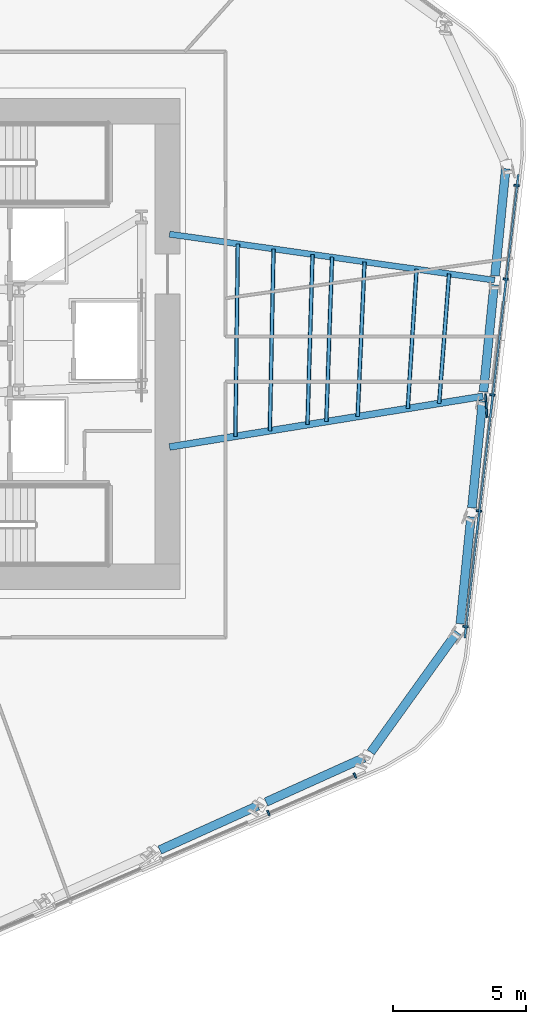
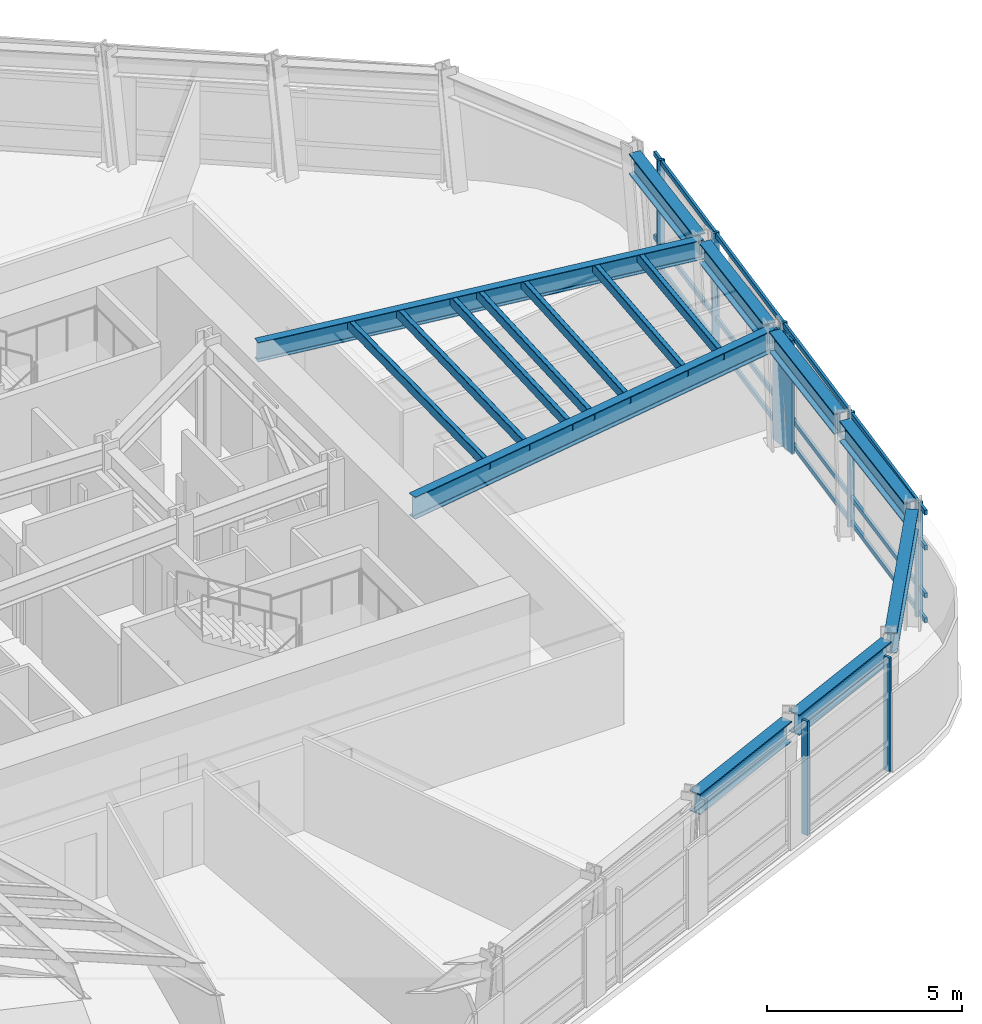
# One storey, part 5 of 16: 19 members, 9 beams, 2 elements without a shape of their own.
"""IFC4 building model written with IfcOpenShell, lengths in metres."""

from ifc_helpers import new_model, si_unit, direction, frame, origin, origin_2d, place, context, subcontext, project, spatial, rectangle, hollow_rectangle, i_section, extrude, material, layer, layer_set, material_profile, profile_set, type_object, element, aggregate, save


model = new_model("IFC4")

# Units and contexts
model_context = context("Model", 3, precision=1e-05, world=origin(), true_north=direction((0.0, 1.0)))
body_context = subcontext(model_context, "Body", "Model", "MODEL_VIEW")
ifc_project = project(units=[si_unit("LENGTHUNIT", "METRE"), si_unit("AREAUNIT", "SQUARE_METRE"), si_unit("VOLUMEUNIT", "CUBIC_METRE"), si_unit("PLANEANGLEUNIT", "RADIAN"), si_unit("MASSUNIT", "GRAM", prefix="KILO")], contexts=[model_context])

# Site, building, storey
site_placement = place(None, origin())
site = spatial("IfcSite", under=ifc_project, at=site_placement, CompositionType="ELEMENT")
building_placement = place(site_placement, origin())
building = spatial("IfcBuilding", under=site, at=building_placement, Name="Valkerne Bourse Tower", CompositionType="ELEMENT")
storey_placement = place(building_placement, frame((0.0, 0.0, 123.800048828125)))
storey = spatial("IfcBuildingStorey", under=building, at=storey_placement, Name="L31", CompositionType="ELEMENT", Elevation=123.800048828125)

# Beams
ifc_material_1 = material(Name="Steel ASTM A992", Category="steel")
ifc_material_profile_1 = material_profile(ifc_material_1, i_section(OverallWidth=0.330078125, OverallDepth=0.647705078125, WebThickness=0.0205078125, FlangeThickness=0.037109375, FilletRadius=0.020263671875, at=origin_2d()), Name="W24X192")
ifc_profile_set_1 = profile_set([ifc_material_profile_1], Name="Steel ASTM A992")
beam_type_1 = type_object("IfcBeamType", Name="BM-W24X192", PredefinedType="SPANDREL", material=ifc_profile_set_1)
beam_1_placement = place(storey_placement, frame((55.6328125, 7.8505859375, 3.256103515625), z_axis=(0.911397632839, 0.411526858, 0.0), x_axis=(-0.411526858, 0.911397632839, 0.0)))
element("IfcBeam", 1, at=beam_1_placement, inside=storey, type_object=beam_type_1, Name="L31 Hexagonal Spandrel Ring Beam 22", PredefinedType="SPANDREL", context=body_context, shape_type="SweptSolid", body=[
    extrude(i_section(OverallWidth=0.330078125, OverallDepth=0.647705078125, WebThickness=0.0205078125, FlangeThickness=0.037109375, FilletRadius=0.020263671875, at=origin_2d()), origin(), (0.0, 0.0, 1.0), 4.04296875),
])
beam_2_placement = place(storey_placement, frame((59.62744140625, 9.654296875, 3.256103515625), z_axis=(0.911430503924, 0.411454051526, 0.0), x_axis=(-0.411454051526, 0.911430503924, 0.0)))
element("IfcBeam", 2, at=beam_2_placement, inside=storey, type_object=beam_type_1, Name="L31 Hexagonal Spandrel Ring Beam 23", PredefinedType="SPANDREL", context=body_context, shape_type="SweptSolid", body=[
    extrude(i_section(OverallWidth=0.330078125, OverallDepth=0.647705078125, WebThickness=0.0205078125, FlangeThickness=0.037109375, FilletRadius=0.020263671875, at=origin_2d()), origin(), (0.0, 0.0, 1.0), 4.043212890625),
])
beam_3_placement = place(storey_placement, frame((63.56640625, 11.52587890625, 3.256103515625), z_axis=(0.583547452276, 0.8120790423, 0.0), x_axis=(-0.8120790423, 0.583547452276, 0.0)))
element("IfcBeam", 3, at=beam_3_placement, inside=storey, type_object=beam_type_1, Name="L31 Hexagonal Spandrel Ring Beam 24", PredefinedType="SPANDREL", context=body_context, shape_type="SweptSolid", body=[
    extrude(i_section(OverallWidth=0.330078125, OverallDepth=0.647705078125, WebThickness=0.0205078125, FlangeThickness=0.037109375, FilletRadius=0.020263671875, at=origin_2d()), origin(), (0.0, 0.0, 1.0), 5.564697265625),
])
for number, where, z_axis, x_axis, name in (
    (4, (66.9296875, 16.35205078125, 3.256103515625), (0.099336308624, 0.995053917026, 0.0), (-0.995053917026, 0.099336308624, 0.0), "L31 Hexagonal Spandrel Ring Beam 25"),
    (5, (67.364990234375, 20.71337890625, 3.256103515625), (0.099336308624, 0.995053917026, 0.0), (-0.995053917026, 0.099336308624, 0.0), "L31 Hexagonal Spandrel Ring Beam 26"),
    (6, (67.80029296875, 25.07470703125, 3.256103515625), (0.099336308624, 0.995053917026, 0.0), (-0.995053917026, 0.099336308624, 0.0), "L31 Hexagonal Spandrel Ring Beam 27"),
    (7, (68.235595703125, 29.43603515625, 3.256103515625), (0.099336308624, 0.995053917026, 0.0), (-0.995053917026, 0.099336308624, 0.0), "L31 Hexagonal Spandrel Ring Beam 28"),
):
    element("IfcBeam", number, at=place(storey_placement, frame(where, z_axis=z_axis, x_axis=x_axis)), inside=storey, type_object=beam_type_1, Name=name, PredefinedType="SPANDREL", context=body_context, shape_type="SweptSolid", body=[
        extrude(i_section(OverallWidth=0.330078125, OverallDepth=0.647705078125, WebThickness=0.0205078125, FlangeThickness=0.037109375, FilletRadius=0.020263671875, at=origin_2d()), origin(), (0.0, 0.0, 1.0), 4.04296875),
    ])
ifc_material_profile_2 = material_profile(ifc_material_1, i_section(OverallWidth=0.228271484375, OverallDepth=0.607177734375, WebThickness=0.01123046875, FlangeThickness=0.017333984375, FilletRadius=0.017822265625, at=origin_2d()), Name="W24X76")
ifc_profile_set_2 = profile_set([ifc_material_profile_2], Name="Steel ASTM A992")
beam_type_2 = type_object("IfcBeamType", Name="BM-W24X76", PredefinedType="JOIST", material=ifc_profile_set_2)
beam_4_placement = place(storey_placement, frame((68.21875, 29.266845703125, 3.2763671875), z_axis=(-0.990089463272, 0.140438081437, 0.0), x_axis=(-0.140438081437, -0.990089463272, 0.0)))
element("IfcBeam", 8, at=beam_4_placement, inside=storey, type_object=beam_type_2, Name="L31 Radial Composite Floor Beam 28", PredefinedType="JOIST", context=body_context, shape_type="SweptSolid", body=[
    extrude(i_section(OverallWidth=0.228271484375, OverallDepth=0.607177734375, WebThickness=0.01123046875, FlangeThickness=0.017333984375, FilletRadius=0.017822265625, at=origin_2d()), origin(), (0.0, 0.0, 1.0), 12.341064453125),
])
ifc_material_profile_3 = material_profile(ifc_material_1, i_section(OverallWidth=0.255859375, OverallDepth=0.693359375, WebThickness=0.014404296875, FlangeThickness=0.023681640625, FilletRadius=0.02294921875, at=origin_2d()), Name="W27X114")
ifc_profile_set_3 = profile_set([ifc_material_profile_3], Name="Steel ASTM A992")
beam_type_3 = type_object("IfcBeamType", Name="BM-W27X114", PredefinedType="BEAM", material=ifc_profile_set_3)
beam_5_placement = place(storey_placement, frame((67.783447265625, 24.905517578125, 3.233154296875), z_axis=(-0.987175695084, -0.159637548951, 0.0), x_axis=(0.159637548951, -0.987175695084, 0.0)))
element("IfcBeam", 9, at=beam_5_placement, inside=storey, type_object=beam_type_3, Name="L31 Radial Composite Floor Beam 27", PredefinedType="BEAM", context=body_context, shape_type="SweptSolid", body=[
    extrude(i_section(OverallWidth=0.255859375, OverallDepth=0.693359375, WebThickness=0.014404296875, FlangeThickness=0.023681640625, FilletRadius=0.02294921875, at=origin_2d()), origin(), (0.0, 0.0, 1.0), 11.9365234375),
])

# Curtain wall, members
ifc_material_2 = material(Name="Aluminium AA 6063-T6", Category="aluminium")
ifc_layer = layer(ifc_material_2, 0.22998046875)
ifc_layer_set = layer_set([ifc_layer], Name="Aluminium AA 6063-T6")
curtain_wall_type = type_object("IfcCurtainWallType", Name="CW-02", PredefinedType="NOTDEFINED", material=ifc_layer_set)
curtain_wall_1_placement = place(storey_placement, origin())
curtain_wall_1 = element("IfcCurtainWall", 10, at=curtain_wall_1_placement, inside=storey, type_object=curtain_wall_type, Name="L31 Hexagonal Stick Curtain Wall Face 5", PredefinedType="NOTDEFINED")
ifc_material_profile_4 = material_profile(ifc_material_2, rectangle(XDim=0.074951171875, YDim=0.199951171875, at=origin_2d()), Name="CWM-75X200")
ifc_profile_set_4 = profile_set([ifc_material_profile_4], Name="Aluminium AA 6063-T6")
member_type_1 = type_object("IfcMemberType", Name="CW-MUL-220X75", PredefinedType="MULLION", material=ifc_profile_set_4)
member_1_placement = place(storey_placement, frame((59.718017578125, 9.2421875, 0.0), z_axis=(0.0, 0.0, 1.0), x_axis=(0.917753892922, 0.397149583944, 0.0)))
member_1 = element("IfcMember", 11, at=member_1_placement, type_object=member_type_1, Name="CW-L31-F5 Jamb Mullion 03A", PredefinedType="MULLION", context=body_context, shape_type="SweptSolid", body=[
    extrude(rectangle(XDim=0.074951171875, YDim=0.199951171875, at=origin_2d()), origin(), (0.0, 0.0, 1.0), 3.579833984375),
])
member_2_placement = place(storey_placement, frame((62.969482421875, 10.649169921875, 0.0), z_axis=(0.0, 0.0, 1.0), x_axis=(0.917753892922, 0.397149583944, 0.0)))
member_2 = element("IfcMember", 12, at=member_2_placement, type_object=member_type_1, Name="CW-L31-F5 Jamb Mullion 03B", PredefinedType="MULLION", context=body_context, shape_type="SweptSolid", body=[
    extrude(rectangle(XDim=0.074951171875, YDim=0.199951171875, at=origin_2d()), origin(), (0.0, 0.0, 1.0), 3.579833984375),
])
aggregate(curtain_wall_1, [member_1, member_2])

curtain_wall_2_placement = place(storey_placement, origin())
curtain_wall_2 = element("IfcCurtainWall", 13, at=curtain_wall_2_placement, inside=storey, type_object=curtain_wall_type, Name="L31 Hexagonal Stick Curtain Wall Face 6", PredefinedType="NOTDEFINED")
member_3_placement = place(storey_placement, frame((67.12646484375, 16.246337890625, 0.0), z_axis=(0.0, 0.0, 1.0), x_axis=(0.114942781596, 0.993372114043, 0.0)))
member_3 = element("IfcMember", 14, at=member_3_placement, type_object=member_type_1, Name="CW-L31-F6 Jamb Mullion 00A", PredefinedType="MULLION", context=body_context, shape_type="SweptSolid", body=[
    extrude(rectangle(XDim=0.074951171875, YDim=0.199951171875, at=origin_2d()), origin(), (0.0, 0.0, 1.0), 3.579833984375),
])
member_4_placement = place(storey_placement, frame((67.630126953125, 20.600341796875, 0.0), z_axis=(0.0, 0.0, 1.0), x_axis=(0.114945386711, 0.993371812603, 0.0)))
member_4 = element("IfcMember", 15, at=member_4_placement, type_object=member_type_1, Name="CW-L31-F6 Jamb Mullion 01A", PredefinedType="MULLION", context=body_context, shape_type="SweptSolid", body=[
    extrude(rectangle(XDim=0.074951171875, YDim=0.199951171875, at=origin_2d()), origin(), (0.0, 0.0, 1.0), 3.579833984375),
])
member_5_placement = place(storey_placement, frame((68.134033203125, 24.954345703125, 0.0), z_axis=(0.0, 0.0, 1.0), x_axis=(0.114920267773, 0.993374718852, 0.0)))
member_5 = element("IfcMember", 16, at=member_5_placement, type_object=member_type_1, Name="CW-L31-F6 Jamb Mullion 02A", PredefinedType="MULLION", context=body_context, shape_type="SweptSolid", body=[
    extrude(rectangle(XDim=0.074951171875, YDim=0.199951171875, at=origin_2d()), origin(), (0.0, 0.0, 1.0), 3.579833984375),
])
member_6_placement = place(storey_placement, frame((68.6376953125, 29.308349609375, 0.0), z_axis=(0.0, 0.0, 1.0), x_axis=(0.114945386711, 0.993371812603, 0.0)))
member_6 = element("IfcMember", 17, at=member_6_placement, type_object=member_type_1, Name="CW-L31-F6 Jamb Mullion 03A", PredefinedType="MULLION", context=body_context, shape_type="SweptSolid", body=[
    extrude(rectangle(XDim=0.074951171875, YDim=0.199951171875, at=origin_2d()), origin(), (0.0, 0.0, 1.0), 3.579833984375),
])
member_7_placement = place(storey_placement, frame((69.044921875, 32.827880859375, 0.0), z_axis=(0.0, 0.0, 1.0), x_axis=(0.114945386711, 0.993371812603, 0.0)))
member_7 = element("IfcMember", 18, at=member_7_placement, type_object=member_type_1, Name="CW-L31-F6 Jamb Mullion 03B", PredefinedType="MULLION", context=body_context, shape_type="SweptSolid", body=[
    extrude(rectangle(XDim=0.074951171875, YDim=0.199951171875, at=origin_2d()), origin(), (0.0, 0.0, 1.0), 3.579833984375),
])
ifc_material_profile_5 = material_profile(ifc_material_2, rectangle(XDim=0.074951171875, YDim=0.14990234375, at=origin_2d()), Name="CWT-75X150")
ifc_profile_set_5 = profile_set([ifc_material_profile_5], Name="Aluminium AA 6063-T6")
member_type_2 = type_object("IfcMemberType", Name="CW-TRN-180X65", PredefinedType="USERDEFINED", material=ifc_profile_set_5)
member_8_placement = place(storey_placement, frame((67.097900390625, 15.826904296875, 0.119873046875), z_axis=(0.114940708063, 0.993372353969, 0.0), x_axis=(-0.993372353969, 0.114940708063, 0.0)))
member_8 = element("IfcMember", 19, at=member_8_placement, type_object=member_type_2, Name="CW-L31-F6 Continuous Face Transom 1", ObjectType="TRANSOM", PredefinedType="USERDEFINED", context=body_context, shape_type="SweptSolid", body=[
    extrude(rectangle(XDim=0.074951171875, YDim=0.14990234375, at=origin_2d()), origin(), (0.0, 0.0, 1.0), 17.531982421875),
])
member_9_placement = place(storey_placement, frame((67.097900390625, 15.826904296875, 0.89990234375), z_axis=(0.114940708063, 0.993372353969, 0.0), x_axis=(-0.993372353969, 0.114940708063, 0.0)))
member_9 = element("IfcMember", 20, at=member_9_placement, type_object=member_type_2, Name="CW-L31-F6 Continuous Face Transom 2", ObjectType="TRANSOM", PredefinedType="USERDEFINED", context=body_context, shape_type="SweptSolid", body=[
    extrude(rectangle(XDim=0.074951171875, YDim=0.14990234375, at=origin_2d()), origin(), (0.0, 0.0, 1.0), 17.531982421875),
])
member_10_placement = place(storey_placement, frame((67.097900390625, 15.826904296875, 2.39990234375), z_axis=(0.114940708063, 0.993372353969, 0.0), x_axis=(-0.993372353969, 0.114940708063, 0.0)))
member_10 = element("IfcMember", 21, at=member_10_placement, type_object=member_type_2, Name="CW-L31-F6 Continuous Face Transom 3", ObjectType="TRANSOM", PredefinedType="USERDEFINED", context=body_context, shape_type="SweptSolid", body=[
    extrude(rectangle(XDim=0.074951171875, YDim=0.14990234375, at=origin_2d()), origin(), (0.0, 0.0, 1.0), 17.531982421875),
])
member_11_placement = place(storey_placement, frame((67.097900390625, 15.826904296875, 3.5), z_axis=(0.114940708063, 0.993372353969, 0.0), x_axis=(-0.993372353969, 0.114940708063, 0.0)))
member_11 = element("IfcMember", 22, at=member_11_placement, type_object=member_type_2, Name="CW-L31-F6 Continuous Face Transom 4", ObjectType="TRANSOM", PredefinedType="USERDEFINED", context=body_context, shape_type="SweptSolid", body=[
    extrude(rectangle(XDim=0.074951171875, YDim=0.14990234375, at=origin_2d()), origin(), (0.0, 0.0, 1.0), 17.531982421875),
])
aggregate(curtain_wall_2, [member_8, member_9, member_10, member_11, member_3, member_4, member_5, member_6, member_7])

# Members
ifc_material_3 = material(Name="Bronze Anodised Aluminium AA 6063-T6", Category="aluminium")
ifc_material_profile_6 = material_profile(ifc_material_3, rectangle(XDim=0.070068359375, YDim=0.89990234375, at=origin_2d()), Name="FIN-70X900")
ifc_profile_set_6 = profile_set([ifc_material_profile_6], Name="Bronze Anodised Aluminium AA 6063-T6")
member_type_3 = type_object("IfcMemberType", Name="FIN-SOLAR-900", PredefinedType="USERDEFINED", material=ifc_profile_set_6)
member_12_placement = place(storey_placement, frame((67.906982421875, 24.557861328125, 0.00390625), z_axis=(0.0, 0.0, 1.0), x_axis=(0.997389197106, 0.072213499411, 0.0)))
element("IfcMember", 23, at=member_12_placement, inside=storey, type_object=member_type_3, Name="L31 Bronze Anodised Solar Fin F6-02", ObjectType="SOLAR_FIN", PredefinedType="USERDEFINED", context=body_context, shape_type="SweptSolid", body=[
    extrude(rectangle(XDim=0.070068359375, YDim=0.89990234375, at=origin_2d()), origin(), (0.0, 0.0, 1.0), 3.572021484375),
])
ifc_material_4 = material(Name="Steel ASTM A500 Grade C", Category="steel")
ifc_material_profile_7 = material_profile(ifc_material_4, hollow_rectangle(XDim=0.14990234375, YDim=0.300048828125, WallThickness=0.012451171875, OuterFilletRadius=0.02490234375, at=origin_2d()), Name="HSS300X150X12.5")
ifc_profile_set_7 = profile_set([ifc_material_profile_7], Name="Steel ASTM A500 Grade C")
member_type_4 = type_object("IfcMemberType", Name="MBR-HSS300X150X12.5", PredefinedType="PURLIN", material=ifc_profile_set_7)
member_13_placement = place(storey_placement, frame((59.770751953125, 23.60986328125, 3.419921875), z_axis=(0.020354379315, 0.999792828161, 0.0), x_axis=(-0.999792828161, 0.020354379315, 0.0)))
element("IfcMember", 24, at=member_13_placement, inside=storey, type_object=member_type_4, Name="L31 Secondary Composite Floor Purlin I-27", PredefinedType="PURLIN", context=body_context, shape_type="SweptSolid", body=[
    extrude(hollow_rectangle(XDim=0.14990234375, YDim=0.300048828125, WallThickness=0.012451171875, OuterFilletRadius=0.02490234375, at=origin_2d()), origin(), (0.0, 0.0, 1.0), 6.8369140625),
])
member_14_placement = place(storey_placement, frame((61.184814453125, 23.83837890625, 3.419921875), z_axis=(0.029898874327, 0.999552928721, 0.0), x_axis=(-0.999552928721, 0.029898874327, 0.0)))
element("IfcMember", 25, at=member_14_placement, inside=storey, type_object=member_type_4, Name="L31 Secondary Composite Floor Purlin K-27", PredefinedType="PURLIN", context=body_context, shape_type="SweptSolid", body=[
    extrude(hollow_rectangle(XDim=0.14990234375, YDim=0.300048828125, WallThickness=0.012451171875, OuterFilletRadius=0.02490234375, at=origin_2d()), origin(), (0.0, 0.0, 1.0), 6.40185546875),
])
member_15_placement = place(storey_placement, frame((61.891845703125, 23.952880859375, 3.419921875), z_axis=(0.03517474339, 0.999381177243, 0.0), x_axis=(-0.999381177243, 0.03517474339, 0.0)))
element("IfcMember", 26, at=member_15_placement, inside=storey, type_object=member_type_4, Name="L31 Secondary Composite Floor Purlin M-27", PredefinedType="PURLIN", context=body_context, shape_type="SweptSolid", body=[
    extrude(hollow_rectangle(XDim=0.14990234375, YDim=0.300048828125, WallThickness=0.012451171875, OuterFilletRadius=0.02490234375, at=origin_2d()), origin(), (0.0, 0.0, 1.0), 6.184326171875),
])
member_16_placement = place(storey_placement, frame((64.95556640625, 24.4482421875, 3.419921875), z_axis=(0.063070857926, 0.998009051502, 0.0), x_axis=(-0.998009051502, 0.063070857926, 0.0)))
element("IfcMember", 27, at=member_16_placement, inside=storey, type_object=member_type_4, Name="L31 Secondary Composite Floor Purlin O-27", PredefinedType="PURLIN", context=body_context, shape_type="SweptSolid", body=[
    extrude(hollow_rectangle(XDim=0.14990234375, YDim=0.300048828125, WallThickness=0.012451171875, OuterFilletRadius=0.02490234375, at=origin_2d()), origin(), (0.0, 0.0, 1.0), 5.2451171875),
])
member_17_placement = place(storey_placement, frame((63.070068359375, 24.143310546875, 3.419921875), z_axis=(0.044863704998, 0.99899311708, 0.0), x_axis=(-0.99899311708, 0.044863704998, 0.0)))
element("IfcMember", 28, at=member_17_placement, inside=storey, type_object=member_type_4, Name="L31 Secondary Composite Floor Purlin Z-27", PredefinedType="PURLIN", context=body_context, shape_type="SweptSolid", body=[
    extrude(hollow_rectangle(XDim=0.14990234375, YDim=0.300048828125, WallThickness=0.012451171875, OuterFilletRadius=0.02490234375, at=origin_2d()), origin(), (0.0, 0.0, 1.0), 5.82275390625),
])
member_18_placement = place(storey_placement, frame((58.474609375, 23.400146484375, 3.419921875), z_axis=(0.012617930567, 0.999920390745, 0.0), x_axis=(-0.999920390745, 0.012617930567, 0.0)))
element("IfcMember", 29, at=member_18_placement, inside=storey, type_object=member_type_4, Name="L31 Secondary Composite Floor Purlin S-27", PredefinedType="PURLIN", context=body_context, shape_type="SweptSolid", body=[
    extrude(hollow_rectangle(XDim=0.14990234375, YDim=0.300048828125, WallThickness=0.012451171875, OuterFilletRadius=0.02490234375, at=origin_2d()), origin(), (0.0, 0.0, 1.0), 7.236328125),
])
member_19_placement = place(storey_placement, frame((66.1337890625, 24.638916015625, 3.419921875), z_axis=(0.076665924203, 0.997056836929, 0.0), x_axis=(-0.997056836929, 0.076665924203, 0.0)))
element("IfcMember", 30, at=member_19_placement, inside=storey, type_object=member_type_4, Name="L31 Secondary Composite Floor Purlin T-27", PredefinedType="PURLIN", context=body_context, shape_type="SweptSolid", body=[
    extrude(hollow_rectangle(XDim=0.14990234375, YDim=0.300048828125, WallThickness=0.012451171875, OuterFilletRadius=0.02490234375, at=origin_2d()), origin(), (0.0, 0.0, 1.0), 4.885009765625),
])

save(model, "model.ifc")
